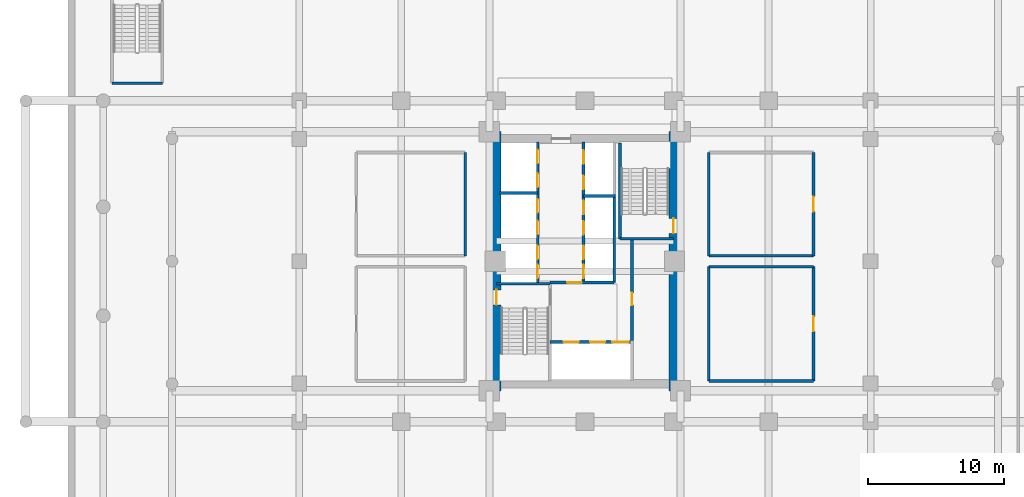
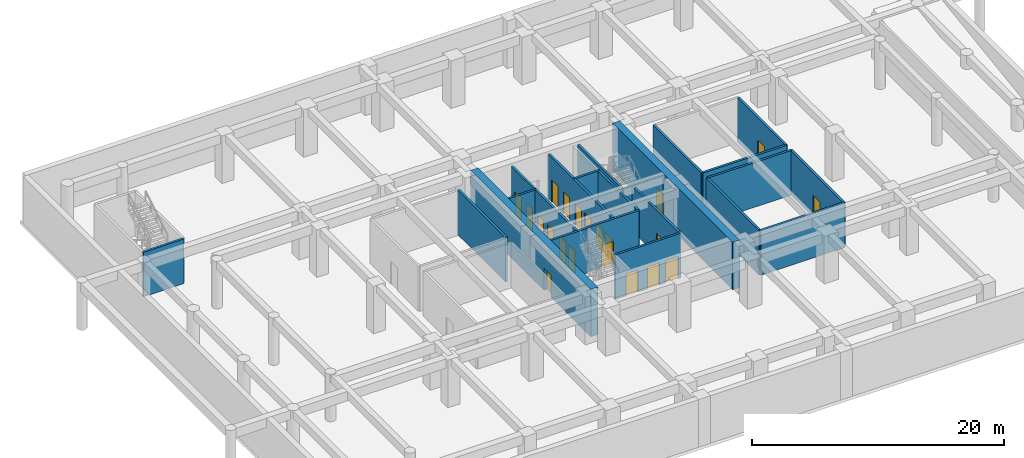
# One storey, part 3 of 12: 22 walls, 21 doors, 21 openings.
"""IFC4 building model written with IfcOpenShell, lengths in metres."""

from ifc_helpers import new_model, si_unit, direction, frame, frame_2d, origin, place, context, subcontext, project, spatial, rectangle, extrude, source, transform, mapped, material, layer, layer_set, type_object, element, fill, save


model = new_model("IFC4")

# Units and contexts
model_context = context("Model", 3, precision=1e-05, world=origin(), true_north=direction((0.0, 1.0)))
body_context = subcontext(model_context, "Body", "Model", "MODEL_VIEW")
ifc_project = project(units=[si_unit("LENGTHUNIT", "METRE"), si_unit("AREAUNIT", "SQUARE_METRE"), si_unit("VOLUMEUNIT", "CUBIC_METRE"), si_unit("PLANEANGLEUNIT", "RADIAN"), si_unit("MASSUNIT", "GRAM", prefix="KILO")], contexts=[model_context])

# Site, building, storey
site_placement = place(None, origin())
site = spatial("IfcSite", under=ifc_project, at=site_placement, CompositionType="ELEMENT")
building_placement = place(site_placement, origin())
building = spatial("IfcBuilding", under=site, at=building_placement, Name="Saelheon Loggia Tower", CompositionType="ELEMENT")
storey_placement = place(building_placement, frame((0.0, 0.0, -4.60009765625)))
storey = spatial("IfcBuildingStorey", under=building, at=storey_placement, Name="B1", CompositionType="ELEMENT", Elevation=-4.60009765625)

# Wall, opening, door
ifc_material_1 = material(Name="Concrete C60/75", Category="concrete")
ifc_layer_1 = layer(ifc_material_1, 0.64990234375)
ifc_layer_set_1 = layer_set([ifc_layer_1], Name="Concrete C60/75")
wall_type_1 = type_object("IfcWallType", Name="Wall_CoreShear_650", PredefinedType="SHEAR", material=ifc_layer_set_1)
wall_1_placement = place(storey_placement, frame((31.5, 17.47998046875, 0.0), z_axis=(0.0, 0.0, 1.0), x_axis=(0.0, 1.0, 0.0)))
wall_1 = element("IfcWall", 1, at=wall_1_placement, inside=storey, type_object=wall_type_1, Name="B1 Core Shear Wall West", PredefinedType="SHEAR", context=body_context, shape_type="SweptSolid", body=[
    extrude(rectangle(XDim=19.0400390625, YDim=0.64990234375, at=frame_2d((9.52001953125, 0.0))), origin(), (0.0, 0.0, 1.0), 4.60009765625),
])
opening_1_placement = place(wall_1_placement, frame((6.320068359375, 0.0, 0.0)))
opening_1 = element("IfcOpeningElement", 2, at=opening_1_placement, cuts=wall_1, Name="Opening D-FD2", PredefinedType="OPENING", context=body_context, shape_type="SweptSolid", body=[
    extrude(rectangle(XDim=1.10009765625, YDim=2.14990234375, at=frame_2d((0.550048828125, 1.074951171875))), frame((0.0, 0.3369140625, 0.0), z_axis=(0.0, -1.0, 0.0), x_axis=(1.0, 0.0, 0.0)), (0.0, 0.0, 1.0), 0.673828125),
])
ifc_material_2 = material(Name="Galvanised Steel Fire Door", Category="steel")
door_type_1 = type_object("IfcDoorType", Name="Door_Fire_FD60_1100", OperationType="NOTDEFINED", PredefinedType="DOOR", material=ifc_material_2)
shared_shape_1 = source(origin(), body_context, "Body", "SweptSolid", [
    extrude(rectangle(XDim=1.10009765625, YDim=2.14990234375, at=frame_2d((0.550048828125, 1.074951171875))), frame((0.0, 0.02490234375, 0.0), z_axis=(0.0, -1.0, 0.0), x_axis=(1.0, 0.0, 0.0)), (0.0, 0.0, 1.0), 0.050048828125),
])
door_1_placement = place(opening_1_placement, origin())
door_1 = element("IfcDoor", 3, at=door_1_placement, inside=storey, type_object=door_type_1, Name="B1 Stair ST1 Corridor Door", OperationType="SINGLE_SWING_LEFT", OverallHeight=2.14990234375, OverallWidth=1.10009765625, PredefinedType="DOOR", context=body_context, shape_type="MappedRepresentation", body=[
    mapped(shared_shape_1, transform((0.0, 0.0, 0.0), scale=1.0)),
])
fill(opening_1, door_1)

wall_2_placement = place(storey_placement, frame((44.5, 17.47998046875, 0.0), z_axis=(0.0, 0.0, 1.0), x_axis=(0.0, 1.0, 0.0)))
wall_2 = element("IfcWall", 4, at=wall_2_placement, inside=storey, type_object=wall_type_1, Name="B1 Core Shear Wall East", PredefinedType="SHEAR", context=body_context, shape_type="SweptSolid", body=[
    extrude(rectangle(XDim=19.0400390625, YDim=0.64990234375, at=frame_2d((9.52001953125, 0.0))), origin(), (0.0, 0.0, 1.0), 4.60009765625),
])
opening_2_placement = place(wall_2_placement, frame((12.670166015625, 0.0, 0.0), z_axis=(0.0, 0.0, 1.0), x_axis=(-1.0, 0.0, 0.0)))
opening_2 = element("IfcOpeningElement", 5, at=opening_2_placement, cuts=wall_2, Name="Opening D-FD2", PredefinedType="OPENING", context=body_context, shape_type="SweptSolid", body=[
    extrude(rectangle(XDim=1.10009765625, YDim=2.14990234375, at=frame_2d((0.550048828125, 1.074951171875))), frame((0.0, 0.3369140625, 0.0), z_axis=(0.0, -1.0, 0.0), x_axis=(1.0, 0.0, 0.0)), (0.0, 0.0, 1.0), 0.673828125),
])
door_2_placement = place(opening_2_placement, origin())
door_2 = element("IfcDoor", 6, at=door_2_placement, inside=storey, type_object=door_type_1, Name="B1 Stair ST2 Corridor Door", OperationType="SINGLE_SWING_RIGHT", OverallHeight=2.14990234375, OverallWidth=1.10009765625, PredefinedType="DOOR", context=body_context, shape_type="MappedRepresentation", body=[
    mapped(shared_shape_1, transform((0.0, 0.0, 0.0), scale=1.0)),
])
fill(opening_2, door_2)

ifc_material_3 = material(Name="Concrete C40/50", Category="concrete")
ifc_layer_2 = layer(ifc_material_3, 0.199951171875)
ifc_layer_set_2 = layer_set([ifc_layer_2], Name="Concrete C40/50")
wall_type_2 = type_object("IfcWallType", Name="Wall_Shaft_200", PredefinedType="PARTITIONING", material=ifc_layer_set_2)
wall_3_placement = place(storey_placement, frame((41.449951171875, 21.179931640625, 0.0), z_axis=(0.0, 0.0, 1.0), x_axis=(0.0, 1.0, 0.0)))
wall_3 = element("IfcWall", 7, at=wall_3_placement, inside=storey, type_object=wall_type_2, Name="CW-INT-B1-BOH-W1", PredefinedType="PARTITIONING", context=body_context, shape_type="SweptSolid", body=[
    extrude(rectangle(XDim=7.420166015625, YDim=0.199951171875, at=frame_2d((3.7099609375, 0.0))), origin(), (0.0, 0.0, 1.0), 4.320068359375),
])
opening_3_placement = place(wall_3_placement, frame((2.60009765625, 0.0, 0.0)))
opening_3 = element("IfcOpeningElement", 8, at=opening_3_placement, cuts=wall_3, Name="Opening D-RS1", PredefinedType="OPENING", context=body_context, shape_type="SweptSolid", body=[
    extrude(rectangle(XDim=0.89990234375, YDim=2.10009765625, at=frame_2d((0.449951171875, 1.050048828125))), frame((0.0, 0.112060546875, 0.0), z_axis=(0.0, -1.0, 0.0), x_axis=(1.0, 0.0, 0.0)), (0.0, 0.0, 1.0), 0.223876953125),
])
ifc_material_4 = material(Name="Galvanised Steel Riser Access Door", Category="steel")
door_type_2 = type_object("IfcDoorType", Name="Door_Riser_FD60", OperationType="NOTDEFINED", PredefinedType="DOOR", material=ifc_material_4)
shared_shape_2 = source(origin(), body_context, "Body", "SweptSolid", [
    extrude(rectangle(XDim=0.89990234375, YDim=2.10009765625, at=frame_2d((0.449951171875, 1.050048828125))), frame((0.0, 0.02490234375, 0.0), z_axis=(0.0, -1.0, 0.0), x_axis=(1.0, 0.0, 0.0)), (0.0, 0.0, 1.0), 0.050048828125),
])
door_3_placement = place(opening_3_placement, origin())
door_3 = element("IfcDoor", 9, at=door_3_placement, inside=storey, type_object=door_type_2, Name="B1 Core Service Store Door", OperationType="SINGLE_SWING_RIGHT", OverallHeight=2.10009765625, OverallWidth=0.89990234375, PredefinedType="DOOR", context=body_context, shape_type="MappedRepresentation", body=[
    mapped(shared_shape_2, transform((0.0, 0.0, 0.0), scale=1.0)),
])
fill(opening_3, door_3)

# Wall
wall_4_placement = place(storey_placement, frame((40.14990234375, 25.43994140625, 0.0), z_axis=(0.0, 0.0, 1.0), x_axis=(0.0, 1.0, 0.0)))
element("IfcWall", 10, at=wall_4_placement, inside=storey, type_object=wall_type_2, Name="B1 Core Service Passage West Wall", PredefinedType="PARTITIONING", context=body_context, shape_type="SweptSolid", body=[
    extrude(rectangle(XDim=6.360107421875, YDim=0.199951171875, at=frame_2d((3.18017578125, 0.0))), origin(), (0.0, 0.0, 1.0), 4.320068359375),
])

# Wall, openings, doors
wall_5_placement = place(storey_placement, frame((35.429931640625, 21.06005859375, 0.0), z_axis=(0.0, 0.0, 1.0), x_axis=(1.0, 0.0, 0.0)))
wall_5 = element("IfcWall", 11, at=wall_5_placement, inside=storey, type_object=wall_type_2, Name="B1 Firefighting Lift Shaft Front Wall", PredefinedType="PARTITIONING", context=body_context, shape_type="SweptSolid", body=[
    extrude(rectangle(XDim=6.02001953125, YDim=0.199951171875, at=frame_2d((3.010009765625, 0.0))), origin(), (0.0, 0.0, 1.0), 4.320068359375),
])
opening_4_placement = place(wall_5_placement, frame((1.0, 0.0, 0.0)))
opening_4 = element("IfcOpeningElement", 12, at=opening_4_placement, cuts=wall_5, Name="Opening LD2", PredefinedType="OPENING", context=body_context, shape_type="SweptSolid", body=[
    extrude(rectangle(XDim=1.10009765625, YDim=2.14990234375, at=frame_2d((0.550048828125, 1.074951171875))), frame((0.0, 0.112060546875, 0.0), z_axis=(0.0, -1.0, 0.0), x_axis=(1.0, 0.0, 0.0)), (0.0, 0.0, 1.0), 0.223876953125),
])
opening_5_placement = place(wall_5_placement, frame((2.949951171875, 0.0, 0.0)))
opening_5 = element("IfcOpeningElement", 13, at=opening_5_placement, cuts=wall_5, Name="Opening LD2", PredefinedType="OPENING", context=body_context, shape_type="SweptSolid", body=[
    extrude(rectangle(XDim=1.10009765625, YDim=2.14990234375, at=frame_2d((0.550048828125, 1.074951171875))), frame((0.0, 0.112060546875, 0.0), z_axis=(0.0, -1.0, 0.0), x_axis=(1.0, 0.0, 0.0)), (0.0, 0.0, 1.0), 0.223876953125),
])
opening_6_placement = place(wall_5_placement, frame((4.580078125, 0.0, 0.0)))
opening_6 = element("IfcOpeningElement", 14, at=opening_6_placement, cuts=wall_5, Name="Opening LD3", PredefinedType="OPENING", context=body_context, shape_type="SweptSolid", body=[
    extrude(rectangle(XDim=1.199951171875, YDim=2.14990234375, at=frame_2d((0.60009765625, 1.074951171875))), frame((0.0, 0.112060546875, 0.0), z_axis=(0.0, -1.0, 0.0), x_axis=(1.0, 0.0, 0.0)), (0.0, 0.0, 1.0), 0.223876953125),
])
ifc_material_5 = material(Name="Firefighting Stainless Steel 316 Landing Door", Category="steel")
door_type_3 = type_object("IfcDoorType", Name="Door_Lift_LD2", OperationType="DOUBLE_DOOR_SLIDING", PredefinedType="DOOR", material=ifc_material_5)
door_4_placement = place(opening_4_placement, origin())
door_4 = element("IfcDoor", 15, at=door_4_placement, inside=storey, type_object=door_type_3, Name="B1 FF1 Landing Door", OperationType="DOUBLE_DOOR_SLIDING", OverallHeight=2.14990234375, OverallWidth=1.10009765625, PredefinedType="DOOR", context=body_context, shape_type="MappedRepresentation", body=[
    mapped(shared_shape_1, transform((0.0, 0.0, 0.0), scale=1.0)),
])
fill(opening_4, door_4)
door_5_placement = place(opening_5_placement, origin())
door_5 = element("IfcDoor", 16, at=door_5_placement, inside=storey, type_object=door_type_3, Name="B1 FF2 Landing Door", OperationType="DOUBLE_DOOR_SLIDING", OverallHeight=2.14990234375, OverallWidth=1.10009765625, PredefinedType="DOOR", context=body_context, shape_type="MappedRepresentation", body=[
    mapped(shared_shape_1, transform((0.0, 0.0, 0.0), scale=1.0)),
])
fill(opening_5, door_5)
ifc_material_6 = material(Name="Stretcher Lift Stainless Steel 304 Landing Door", Category="steel")
door_type_4 = type_object("IfcDoorType", Name="Door_Lift_LD3", OperationType="DOUBLE_DOOR_SLIDING", PredefinedType="DOOR", material=ifc_material_6)
shared_shape_3 = source(origin(), body_context, "Body", "SweptSolid", [
    extrude(rectangle(XDim=1.199951171875, YDim=2.14990234375, at=frame_2d((0.60009765625, 1.074951171875))), frame((0.0, 0.02490234375, 0.0), z_axis=(0.0, -1.0, 0.0), x_axis=(1.0, 0.0, 0.0)), (0.0, 0.0, 1.0), 0.050048828125),
])
door_6_placement = place(opening_6_placement, origin())
door_6 = element("IfcDoor", 17, at=door_6_placement, inside=storey, type_object=door_type_4, Name="B1 SV1 Landing Door", OperationType="DOUBLE_DOOR_SLIDING", OverallHeight=2.14990234375, OverallWidth=1.199951171875, PredefinedType="DOOR", context=body_context, shape_type="MappedRepresentation", body=[
    mapped(shared_shape_3, transform((0.0, 0.0, 0.0), scale=1.0)),
])
fill(opening_6, door_6)

# Wall, opening, door
wall_6_placement = place(storey_placement, frame((35.429931640625, 25.43994140625, 0.0), z_axis=(0.0, 0.0, 1.0), x_axis=(1.0, 0.0, 0.0)))
wall_6 = element("IfcWall", 18, at=wall_6_placement, inside=storey, type_object=wall_type_2, Name="B1 Firefighting Lobby Compartment Wall", PredefinedType="PARTITIONING", context=body_context, shape_type="SweptSolid", body=[
    extrude(rectangle(XDim=4.719970703125, YDim=0.199951171875, at=frame_2d((2.35986328125, 0.0))), origin(), (0.0, 0.0, 1.0), 4.320068359375),
])
opening_7_placement = place(wall_6_placement, frame((1.25, 0.0, 0.0)))
opening_7 = element("IfcOpeningElement", 19, at=opening_7_placement, cuts=wall_6, Name="Opening D-FD2", PredefinedType="OPENING", context=body_context, shape_type="SweptSolid", body=[
    extrude(rectangle(XDim=1.10009765625, YDim=2.14990234375, at=frame_2d((0.550048828125, 1.074951171875))), frame((0.0, 0.112060546875, 0.0), z_axis=(0.0, -1.0, 0.0), x_axis=(1.0, 0.0, 0.0)), (0.0, 0.0, 1.0), 0.223876953125),
])
door_7_placement = place(opening_7_placement, origin())
door_7 = element("IfcDoor", 20, at=door_7_placement, inside=storey, type_object=door_type_1, Name="B1 Firefighting Lobby Door", OperationType="SINGLE_SWING_LEFT", OverallHeight=2.14990234375, OverallWidth=1.10009765625, PredefinedType="DOOR", context=body_context, shape_type="MappedRepresentation", body=[
    mapped(shared_shape_1, transform((0.0, 0.0, 0.0), scale=1.0)),
])
fill(opening_7, door_7)

# Wall, openings, doors
wall_7_placement = place(storey_placement, frame((34.52001953125, 25.43994140625, 0.0), z_axis=(0.0, 0.0, 1.0), x_axis=(0.0, 1.0, 0.0)))
wall_7 = element("IfcWall", 21, at=wall_7_placement, inside=storey, type_object=wall_type_2, Name="B1 West Passenger Lift Bank Wall", PredefinedType="PARTITIONING", context=body_context, shape_type="SweptSolid", body=[
    extrude(rectangle(XDim=10.340087890625, YDim=0.199951171875, at=frame_2d((5.169921875, 0.0))), origin(), (0.0, 0.0, 1.0), 4.320068359375),
])
opening_8_placement = place(wall_7_placement, frame((0.320068359375, 0.0, 0.0)))
opening_8 = element("IfcOpeningElement", 22, at=opening_8_placement, cuts=wall_7, Name="Opening LD1", PredefinedType="OPENING", context=body_context, shape_type="SweptSolid", body=[
    extrude(rectangle(XDim=1.0, YDim=2.14990234375, at=frame_2d((0.5, 1.074951171875))), frame((0.0, 0.112060546875, 0.0), z_axis=(0.0, -1.0, 0.0), x_axis=(1.0, 0.0, 0.0)), (0.0, 0.0, 1.0), 0.223876953125),
])
opening_9_placement = place(wall_7_placement, frame((1.7099609375, 0.0, 0.0)))
opening_9 = element("IfcOpeningElement", 23, at=opening_9_placement, cuts=wall_7, Name="Opening LD1", PredefinedType="OPENING", context=body_context, shape_type="SweptSolid", body=[
    extrude(rectangle(XDim=1.0, YDim=2.14990234375, at=frame_2d((0.5, 1.074951171875))), frame((0.0, 0.112060546875, 0.0), z_axis=(0.0, -1.0, 0.0), x_axis=(1.0, 0.0, 0.0)), (0.0, 0.0, 1.0), 0.223876953125),
])
opening_10_placement = place(wall_7_placement, frame((3.534912109375, 0.0, 0.0)))
opening_10 = element("IfcOpeningElement", 24, at=opening_10_placement, cuts=wall_7, Name="Opening LD1", PredefinedType="OPENING", context=body_context, shape_type="SweptSolid", body=[
    extrude(rectangle(XDim=1.0, YDim=2.14990234375, at=frame_2d((0.5, 1.074951171875))), frame((0.0, 0.112060546875, 0.0), z_axis=(0.0, -1.0, 0.0), x_axis=(1.0, 0.0, 0.0)), (0.0, 0.0, 1.0), 0.223876953125),
])
opening_11_placement = place(wall_7_placement, frame((5.135009765625, 0.0, 0.0)))
opening_11 = element("IfcOpeningElement", 25, at=opening_11_placement, cuts=wall_7, Name="Opening LD1", PredefinedType="OPENING", context=body_context, shape_type="SweptSolid", body=[
    extrude(rectangle(XDim=1.0, YDim=2.14990234375, at=frame_2d((0.5, 1.074951171875))), frame((0.0, 0.112060546875, 0.0), z_axis=(0.0, -1.0, 0.0), x_axis=(1.0, 0.0, 0.0)), (0.0, 0.0, 1.0), 0.223876953125),
])
opening_12_placement = place(wall_7_placement, frame((7.010009765625, 0.0, 0.0)))
opening_12 = element("IfcOpeningElement", 26, at=opening_12_placement, cuts=wall_7, Name="Opening LD1", PredefinedType="OPENING", context=body_context, shape_type="SweptSolid", body=[
    extrude(rectangle(XDim=1.0, YDim=2.14990234375, at=frame_2d((0.5, 1.074951171875))), frame((0.0, 0.112060546875, 0.0), z_axis=(0.0, -1.0, 0.0), x_axis=(1.0, 0.0, 0.0)), (0.0, 0.0, 1.0), 0.223876953125),
])
opening_13_placement = place(wall_7_placement, frame((8.760009765625, 0.0, 0.0)))
opening_13 = element("IfcOpeningElement", 27, at=opening_13_placement, cuts=wall_7, Name="Opening LD1", PredefinedType="OPENING", context=body_context, shape_type="SweptSolid", body=[
    extrude(rectangle(XDim=1.0, YDim=2.14990234375, at=frame_2d((0.5, 1.074951171875))), frame((0.0, 0.112060546875, 0.0), z_axis=(0.0, -1.0, 0.0), x_axis=(1.0, 0.0, 0.0)), (0.0, 0.0, 1.0), 0.223876953125),
])
ifc_material_7 = material(Name="Brushed Stainless Steel 304 Landing Door", Category="steel")
door_type_5 = type_object("IfcDoorType", Name="Door_Lift_LD1", OperationType="DOUBLE_DOOR_SLIDING", PredefinedType="DOOR", material=ifc_material_7)
shared_shape_4 = source(origin(), body_context, "Body", "SweptSolid", [
    extrude(rectangle(XDim=1.0, YDim=2.14990234375, at=frame_2d((0.5, 1.074951171875))), frame((0.0, 0.02490234375, 0.0), z_axis=(0.0, -1.0, 0.0), x_axis=(1.0, 0.0, 0.0)), (0.0, 0.0, 1.0), 0.050048828125),
])
door_8_placement = place(opening_8_placement, origin())
door_8 = element("IfcDoor", 28, at=door_8_placement, inside=storey, type_object=door_type_5, Name="B1 PL1 Landing Door", OperationType="DOUBLE_DOOR_SLIDING", OverallHeight=2.14990234375, OverallWidth=1.0, PredefinedType="DOOR", context=body_context, shape_type="MappedRepresentation", body=[
    mapped(shared_shape_4, transform((0.0, 0.0, 0.0), scale=1.0)),
])
fill(opening_8, door_8)
door_9_placement = place(opening_9_placement, origin())
door_9 = element("IfcDoor", 29, at=door_9_placement, inside=storey, type_object=door_type_5, Name="B1 PL2 Landing Door", OperationType="DOUBLE_DOOR_SLIDING", OverallHeight=2.14990234375, OverallWidth=1.0, PredefinedType="DOOR", context=body_context, shape_type="MappedRepresentation", body=[
    mapped(shared_shape_4, transform((0.0, 0.0, 0.0), scale=1.0)),
])
fill(opening_9, door_9)
door_10_placement = place(opening_10_placement, origin())
door_10 = element("IfcDoor", 30, at=door_10_placement, inside=storey, type_object=door_type_5, Name="B1 PL3 Landing Door", OperationType="DOUBLE_DOOR_SLIDING", OverallHeight=2.14990234375, OverallWidth=1.0, PredefinedType="DOOR", context=body_context, shape_type="MappedRepresentation", body=[
    mapped(shared_shape_4, transform((0.0, 0.0, 0.0), scale=1.0)),
])
fill(opening_10, door_10)
door_11_placement = place(opening_11_placement, origin())
door_11 = element("IfcDoor", 31, at=door_11_placement, inside=storey, type_object=door_type_5, Name="B1 PL4 Landing Door", OperationType="DOUBLE_DOOR_SLIDING", OverallHeight=2.14990234375, OverallWidth=1.0, PredefinedType="DOOR", context=body_context, shape_type="MappedRepresentation", body=[
    mapped(shared_shape_4, transform((0.0, 0.0, 0.0), scale=1.0)),
])
fill(opening_11, door_11)
door_12_placement = place(opening_12_placement, origin())
door_12 = element("IfcDoor", 32, at=door_12_placement, inside=storey, type_object=door_type_5, Name="B1 PH1 Landing Door", OperationType="DOUBLE_DOOR_SLIDING", OverallHeight=2.14990234375, OverallWidth=1.0, PredefinedType="DOOR", context=body_context, shape_type="MappedRepresentation", body=[
    mapped(shared_shape_4, transform((0.0, 0.0, 0.0), scale=1.0)),
])
fill(opening_12, door_12)
door_13_placement = place(opening_13_placement, origin())
door_13 = element("IfcDoor", 33, at=door_13_placement, inside=storey, type_object=door_type_5, Name="B1 PH2 Landing Door", OperationType="DOUBLE_DOOR_SLIDING", OverallHeight=2.14990234375, OverallWidth=1.0, PredefinedType="DOOR", context=body_context, shape_type="MappedRepresentation", body=[
    mapped(shared_shape_4, transform((0.0, 0.0, 0.0), scale=1.0)),
])
fill(opening_13, door_13)

# Wall
wall_8_placement = place(storey_placement, frame((31.719970703125, 32.02001953125, 0.0), z_axis=(0.0, 0.0, 1.0), x_axis=(1.0, 0.0, 0.0)))
element("IfcWall", 34, at=wall_8_placement, inside=storey, type_object=wall_type_2, Name="B1 West High-Rise Shaft Divider", PredefinedType="PARTITIONING", context=body_context, shape_type="SweptSolid", body=[
    extrude(rectangle(XDim=2.800048828125, YDim=0.199951171875, at=frame_2d((1.39990234375, 0.0))), origin(), (0.0, 0.0, 1.0), 4.320068359375),
])

# Wall, openings, doors
wall_9_placement = place(storey_placement, frame((37.89990234375, 25.43994140625, 0.0), z_axis=(0.0, 0.0, 1.0), x_axis=(0.0, 1.0, 0.0)))
wall_9 = element("IfcWall", 35, at=wall_9_placement, inside=storey, type_object=wall_type_2, Name="B1 East Passenger Lift Bank Wall", PredefinedType="PARTITIONING", context=body_context, shape_type="SweptSolid", body=[
    extrude(rectangle(XDim=10.340087890625, YDim=0.199951171875, at=frame_2d((5.169921875, 0.0))), origin(), (0.0, 0.0, 1.0), 4.320068359375),
])
opening_14_placement = place(wall_9_placement, frame((0.320068359375, 0.0, 0.0)))
opening_14 = element("IfcOpeningElement", 36, at=opening_14_placement, cuts=wall_9, Name="Opening LD1", PredefinedType="OPENING", context=body_context, shape_type="SweptSolid", body=[
    extrude(rectangle(XDim=1.0, YDim=2.14990234375, at=frame_2d((0.5, 1.074951171875))), frame((0.0, 0.112060546875, 0.0), z_axis=(0.0, -1.0, 0.0), x_axis=(1.0, 0.0, 0.0)), (0.0, 0.0, 1.0), 0.223876953125),
])
opening_15_placement = place(wall_9_placement, frame((1.7099609375, 0.0, 0.0)))
opening_15 = element("IfcOpeningElement", 37, at=opening_15_placement, cuts=wall_9, Name="Opening LD1", PredefinedType="OPENING", context=body_context, shape_type="SweptSolid", body=[
    extrude(rectangle(XDim=1.0, YDim=2.14990234375, at=frame_2d((0.5, 1.074951171875))), frame((0.0, 0.112060546875, 0.0), z_axis=(0.0, -1.0, 0.0), x_axis=(1.0, 0.0, 0.0)), (0.0, 0.0, 1.0), 0.223876953125),
])
opening_16_placement = place(wall_9_placement, frame((3.510009765625, 0.0, 0.0)))
opening_16 = element("IfcOpeningElement", 38, at=opening_16_placement, cuts=wall_9, Name="Opening LD1", PredefinedType="OPENING", context=body_context, shape_type="SweptSolid", body=[
    extrude(rectangle(XDim=1.0, YDim=2.14990234375, at=frame_2d((0.5, 1.074951171875))), frame((0.0, 0.112060546875, 0.0), z_axis=(0.0, -1.0, 0.0), x_axis=(1.0, 0.0, 0.0)), (0.0, 0.0, 1.0), 0.223876953125),
])
opening_17_placement = place(wall_9_placement, frame((5.010009765625, 0.0, 0.0)))
opening_17 = element("IfcOpeningElement", 39, at=opening_17_placement, cuts=wall_9, Name="Opening LD1", PredefinedType="OPENING", context=body_context, shape_type="SweptSolid", body=[
    extrude(rectangle(XDim=1.0, YDim=2.14990234375, at=frame_2d((0.5, 1.074951171875))), frame((0.0, 0.112060546875, 0.0), z_axis=(0.0, -1.0, 0.0), x_axis=(1.0, 0.0, 0.0)), (0.0, 0.0, 1.0), 0.223876953125),
])
opening_18_placement = place(wall_9_placement, frame((6.860107421875, 0.0, 0.0)))
opening_18 = element("IfcOpeningElement", 40, at=opening_18_placement, cuts=wall_9, Name="Opening LD1", PredefinedType="OPENING", context=body_context, shape_type="SweptSolid", body=[
    extrude(rectangle(XDim=1.0, YDim=2.14990234375, at=frame_2d((0.5, 1.074951171875))), frame((0.0, 0.112060546875, 0.0), z_axis=(0.0, -1.0, 0.0), x_axis=(1.0, 0.0, 0.0)), (0.0, 0.0, 1.0), 0.223876953125),
])
opening_19_placement = place(wall_9_placement, frame((8.7099609375, 0.0, 0.0)))
opening_19 = element("IfcOpeningElement", 41, at=opening_19_placement, cuts=wall_9, Name="Opening LD1", PredefinedType="OPENING", context=body_context, shape_type="SweptSolid", body=[
    extrude(rectangle(XDim=1.0, YDim=2.14990234375, at=frame_2d((0.5, 1.074951171875))), frame((0.0, 0.112060546875, 0.0), z_axis=(0.0, -1.0, 0.0), x_axis=(1.0, 0.0, 0.0)), (0.0, 0.0, 1.0), 0.223876953125),
])
door_14_placement = place(opening_14_placement, origin())
door_14 = element("IfcDoor", 42, at=door_14_placement, inside=storey, type_object=door_type_5, Name="B1 PM1 Landing Door", OperationType="DOUBLE_DOOR_SLIDING", OverallHeight=2.14990234375, OverallWidth=1.0, PredefinedType="DOOR", context=body_context, shape_type="MappedRepresentation", body=[
    mapped(shared_shape_4, transform((0.0, 0.0, 0.0), scale=1.0)),
])
fill(opening_14, door_14)
door_15_placement = place(opening_15_placement, origin())
door_15 = element("IfcDoor", 43, at=door_15_placement, inside=storey, type_object=door_type_5, Name="B1 PM2 Landing Door", OperationType="DOUBLE_DOOR_SLIDING", OverallHeight=2.14990234375, OverallWidth=1.0, PredefinedType="DOOR", context=body_context, shape_type="MappedRepresentation", body=[
    mapped(shared_shape_4, transform((0.0, 0.0, 0.0), scale=1.0)),
])
fill(opening_15, door_15)
door_16_placement = place(opening_16_placement, origin())
door_16 = element("IfcDoor", 44, at=door_16_placement, inside=storey, type_object=door_type_5, Name="B1 PM3 Landing Door", OperationType="DOUBLE_DOOR_SLIDING", OverallHeight=2.14990234375, OverallWidth=1.0, PredefinedType="DOOR", context=body_context, shape_type="MappedRepresentation", body=[
    mapped(shared_shape_4, transform((0.0, 0.0, 0.0), scale=1.0)),
])
fill(opening_16, door_16)
door_17_placement = place(opening_17_placement, origin())
door_17 = element("IfcDoor", 45, at=door_17_placement, inside=storey, type_object=door_type_5, Name="B1 PM4 Landing Door", OperationType="DOUBLE_DOOR_SLIDING", OverallHeight=2.14990234375, OverallWidth=1.0, PredefinedType="DOOR", context=body_context, shape_type="MappedRepresentation", body=[
    mapped(shared_shape_4, transform((0.0, 0.0, 0.0), scale=1.0)),
])
fill(opening_17, door_17)
door_18_placement = place(opening_18_placement, origin())
door_18 = element("IfcDoor", 46, at=door_18_placement, inside=storey, type_object=door_type_5, Name="B1 PH3 Landing Door", OperationType="DOUBLE_DOOR_SLIDING", OverallHeight=2.14990234375, OverallWidth=1.0, PredefinedType="DOOR", context=body_context, shape_type="MappedRepresentation", body=[
    mapped(shared_shape_4, transform((0.0, 0.0, 0.0), scale=1.0)),
])
fill(opening_18, door_18)
door_19_placement = place(opening_19_placement, origin())
door_19 = element("IfcDoor", 47, at=door_19_placement, inside=storey, type_object=door_type_5, Name="B1 PH4 Landing Door", OperationType="DOUBLE_DOOR_SLIDING", OverallHeight=2.14990234375, OverallWidth=1.0, PredefinedType="DOOR", context=body_context, shape_type="MappedRepresentation", body=[
    mapped(shared_shape_4, transform((0.0, 0.0, 0.0), scale=1.0)),
])
fill(opening_19, door_19)

# Walls
wall_10_placement = place(storey_placement, frame((37.89990234375, 31.800048828125, 0.0), z_axis=(0.0, 0.0, 1.0), x_axis=(1.0, 0.0, 0.0)))
element("IfcWall", 48, at=wall_10_placement, inside=storey, type_object=wall_type_2, Name="B1 East High-Rise Shaft Divider", PredefinedType="PARTITIONING", context=body_context, shape_type="SweptSolid", body=[
    extrude(rectangle(XDim=2.35009765625, YDim=0.199951171875, at=frame_2d((1.175048828125, 0.0))), origin(), (0.0, 0.0, 1.0), 4.320068359375),
])
wall_11_placement = place(storey_placement, frame((29.199951171875, 27.39990234375, 0.0), z_axis=(0.0, 0.0, 1.0), x_axis=(0.0, 1.0, 0.0)))
element("IfcWall", 49, at=wall_11_placement, inside=storey, type_object=wall_type_2, Name="B1 Emergency Life-Safety Generator Hall East Wall", PredefinedType="PARTITIONING", context=body_context, shape_type="SweptSolid", body=[
    extrude(rectangle(XDim=7.60009765625, YDim=0.199951171875, at=frame_2d((3.800048828125, 0.0))), origin(), (0.0, 0.0, 1.0), 4.320068359375),
])
for number, where, z_axis, x_axis, name in (
    (50, (47.10009765625, 18.199951171875, 0.0), (0.0, 0.0, 1.0), (1.0, 0.0, 0.0), "B1 Cycle Parking Store and Shower Changing South Wall"),
    (51, (47.10009765625, 26.60009765625, 0.0), (0.0, 0.0, 1.0), (1.0, 0.0, 0.0), "B1 Cycle Parking Store and Shower Changing North Wall"),
):
    element("IfcWall", number, at=place(storey_placement, frame(where, z_axis=z_axis, x_axis=x_axis)), inside=storey, type_object=wall_type_2, Name=name, PredefinedType="PARTITIONING", context=body_context, shape_type="SweptSolid", body=[
        extrude(rectangle(XDim=7.699951171875, YDim=0.199951171875, at=frame_2d((3.85009765625, 0.0))), origin(), (0.0, 0.0, 1.0), 4.320068359375),
    ])
wall_12_placement = place(storey_placement, frame((47.10009765625, 18.199951171875, 0.0), z_axis=(0.0, 0.0, 1.0), x_axis=(0.0, 1.0, 0.0)))
element("IfcWall", 52, at=wall_12_placement, inside=storey, type_object=wall_type_2, Name="B1 Cycle Parking Store and Shower Changing West Wall", PredefinedType="PARTITIONING", context=body_context, shape_type="SweptSolid", body=[
    extrude(rectangle(XDim=8.400146484375, YDim=0.199951171875, at=frame_2d((4.2001953125, 0.0))), origin(), (0.0, 0.0, 1.0), 4.320068359375),
])

# Wall, opening, door
wall_13_placement = place(storey_placement, frame((54.800048828125, 18.199951171875, 0.0), z_axis=(0.0, 0.0, 1.0), x_axis=(0.0, 1.0, 0.0)))
wall_13 = element("IfcWall", 53, at=wall_13_placement, inside=storey, type_object=wall_type_2, Name="B1 Cycle Parking Store and Shower Changing East Wall", PredefinedType="PARTITIONING", context=body_context, shape_type="SweptSolid", body=[
    extrude(rectangle(XDim=8.400146484375, YDim=0.199951171875, at=frame_2d((4.2001953125, 0.0))), origin(), (0.0, 0.0, 1.0), 4.320068359375),
])
opening_20_placement = place(wall_13_placement, frame((3.64990234375, 0.0, 0.0)))
opening_20 = element("IfcOpeningElement", 54, at=opening_20_placement, cuts=wall_13, Name="Opening D-FD2", PredefinedType="OPENING", context=body_context, shape_type="SweptSolid", body=[
    extrude(rectangle(XDim=1.10009765625, YDim=2.14990234375, at=frame_2d((0.550048828125, 1.074951171875))), frame((0.0, 0.112060546875, 0.0), z_axis=(0.0, -1.0, 0.0), x_axis=(1.0, 0.0, 0.0)), (0.0, 0.0, 1.0), 0.223876953125),
])
door_20_placement = place(opening_20_placement, origin())
door_20 = element("IfcDoor", 55, at=door_20_placement, inside=storey, type_object=door_type_1, Name="B1 Cycle Parking Store and Shower Changing Door", OperationType="SINGLE_SWING_LEFT", OverallHeight=2.14990234375, OverallWidth=1.10009765625, PredefinedType="DOOR", context=body_context, shape_type="MappedRepresentation", body=[
    mapped(shared_shape_1, transform((0.0, 0.0, 0.0), scale=1.0)),
])
fill(opening_20, door_20)

# Walls
wall_14_placement = place(storey_placement, frame((47.10009765625, 27.39990234375, 0.0), z_axis=(0.0, 0.0, 1.0), x_axis=(1.0, 0.0, 0.0)))
element("IfcWall", 56, at=wall_14_placement, inside=storey, type_object=wall_type_2, Name="B1 Refuse Compactor and Recycling Marshalling South Wall", PredefinedType="PARTITIONING", context=body_context, shape_type="SweptSolid", body=[
    extrude(rectangle(XDim=7.699951171875, YDim=0.199951171875, at=frame_2d((3.85009765625, 0.0))), origin(), (0.0, 0.0, 1.0), 4.320068359375),
])
wall_15_placement = place(storey_placement, frame((47.10009765625, 27.39990234375, 0.0), z_axis=(0.0, 0.0, 1.0), x_axis=(0.0, 1.0, 0.0)))
element("IfcWall", 57, at=wall_15_placement, inside=storey, type_object=wall_type_2, Name="B1 Refuse Compactor and Recycling Marshalling West Wall", PredefinedType="PARTITIONING", context=body_context, shape_type="SweptSolid", body=[
    extrude(rectangle(XDim=7.60009765625, YDim=0.199951171875, at=frame_2d((3.800048828125, 0.0))), origin(), (0.0, 0.0, 1.0), 4.320068359375),
])

# Wall, opening, door
wall_16_placement = place(storey_placement, frame((54.800048828125, 27.39990234375, 0.0), z_axis=(0.0, 0.0, 1.0), x_axis=(0.0, 1.0, 0.0)))
wall_16 = element("IfcWall", 58, at=wall_16_placement, inside=storey, type_object=wall_type_2, Name="B1 Refuse Compactor and Recycling Marshalling East Wall", PredefinedType="PARTITIONING", context=body_context, shape_type="SweptSolid", body=[
    extrude(rectangle(XDim=7.60009765625, YDim=0.199951171875, at=frame_2d((3.800048828125, 0.0))), origin(), (0.0, 0.0, 1.0), 4.320068359375),
])
opening_21_placement = place(wall_16_placement, frame((3.25, 0.0, 0.0)))
opening_21 = element("IfcOpeningElement", 59, at=opening_21_placement, cuts=wall_16, Name="Opening D-FD2", PredefinedType="OPENING", context=body_context, shape_type="SweptSolid", body=[
    extrude(rectangle(XDim=1.10009765625, YDim=2.14990234375, at=frame_2d((0.550048828125, 1.074951171875))), frame((0.0, 0.112060546875, 0.0), z_axis=(0.0, -1.0, 0.0), x_axis=(1.0, 0.0, 0.0)), (0.0, 0.0, 1.0), 0.223876953125),
])
door_21_placement = place(opening_21_placement, origin())
door_21 = element("IfcDoor", 60, at=door_21_placement, inside=storey, type_object=door_type_1, Name="B1 Refuse Compactor and Recycling Marshalling Door", OperationType="SINGLE_SWING_RIGHT", OverallHeight=2.14990234375, OverallWidth=1.10009765625, PredefinedType="DOOR", context=body_context, shape_type="MappedRepresentation", body=[
    mapped(shared_shape_1, transform((0.0, 0.0, 0.0), scale=1.0)),
])
fill(opening_21, door_21)

# Walls
ifc_material_8 = material(Name="Concrete C45/55", Category="concrete")
ifc_layer_3 = layer(ifc_material_8, 0.199951171875)
ifc_layer_set_3 = layer_set([ifc_layer_3], Name="Concrete C45/55")
wall_type_3 = type_object("IfcWallType", Name="Wall_StairShaft_RC200", PredefinedType="SOLIDWALL", material=ifc_layer_set_3)
wall_17_placement = place(storey_placement, frame((31.5, 25.35009765625, 0.0), z_axis=(0.0, 0.0, 1.0), x_axis=(1.0, 0.0, 0.0)))
element("IfcWall", 61, at=wall_17_placement, inside=storey, type_object=wall_type_3, Name="B1 Stair ST1 North Wall", PredefinedType="SOLIDWALL", context=body_context, shape_type="SweptSolid", body=[
    extrude(rectangle(XDim=3.929931640625, YDim=0.199951171875, at=frame_2d((1.96484375, 0.0))), origin(), (0.0, 0.0, 1.0), 4.320068359375),
])
wall_18_placement = place(storey_placement, frame((40.570068359375, 28.64990234375, 0.0), z_axis=(0.0, 0.0, 1.0), x_axis=(0.0, 1.0, 0.0)))
element("IfcWall", 62, at=wall_18_placement, inside=storey, type_object=wall_type_3, Name="B1 Stair ST2 Shaft Wall", PredefinedType="SOLIDWALL", context=body_context, shape_type="SweptSolid", body=[
    extrude(rectangle(XDim=7.050048828125, YDim=0.199951171875, at=frame_2d((3.52490234375, 0.0))), origin(), (0.0, 0.0, 1.0), 4.320068359375),
])
wall_19_placement = place(storey_placement, frame((40.570068359375, 28.64990234375, 0.0), z_axis=(0.0, 0.0, 1.0), x_axis=(1.0, 0.0, 0.0)))
element("IfcWall", 63, at=wall_19_placement, inside=storey, type_object=wall_type_3, Name="B1 Stair ST2 South Wall", PredefinedType="SOLIDWALL", context=body_context, shape_type="SweptSolid", body=[
    extrude(rectangle(XDim=3.929931640625, YDim=0.199951171875, at=frame_2d((1.96484375, 0.0))), origin(), (0.0, 0.0, 1.0), 4.320068359375),
])
wall_20_placement = place(storey_placement, frame((3.239990234375, 40.090087890625, 0.0), z_axis=(0.0, 0.0, 1.0), x_axis=(1.0, 0.0, 0.0)))
element("IfcWall", 64, at=wall_20_placement, inside=storey, type_object=wall_type_3, Name="B1 ST3 Shaft South Wall", PredefinedType="SOLIDWALL", context=body_context, shape_type="SweptSolid", body=[
    extrude(rectangle(XDim=3.699951171875, YDim=0.199951171875, at=frame_2d((1.85009765625, 0.0))), origin(), (0.0, 0.0, 1.0), 4.320068359375),
])

save(model, "model.ifc")
